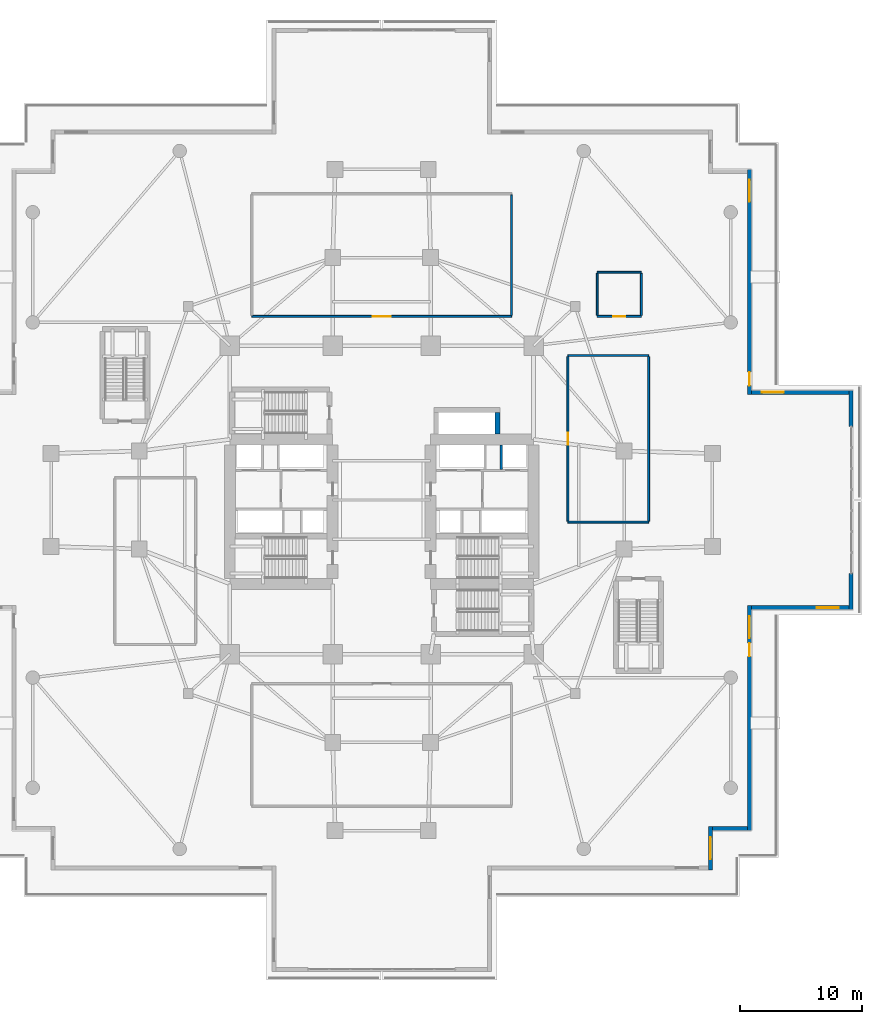
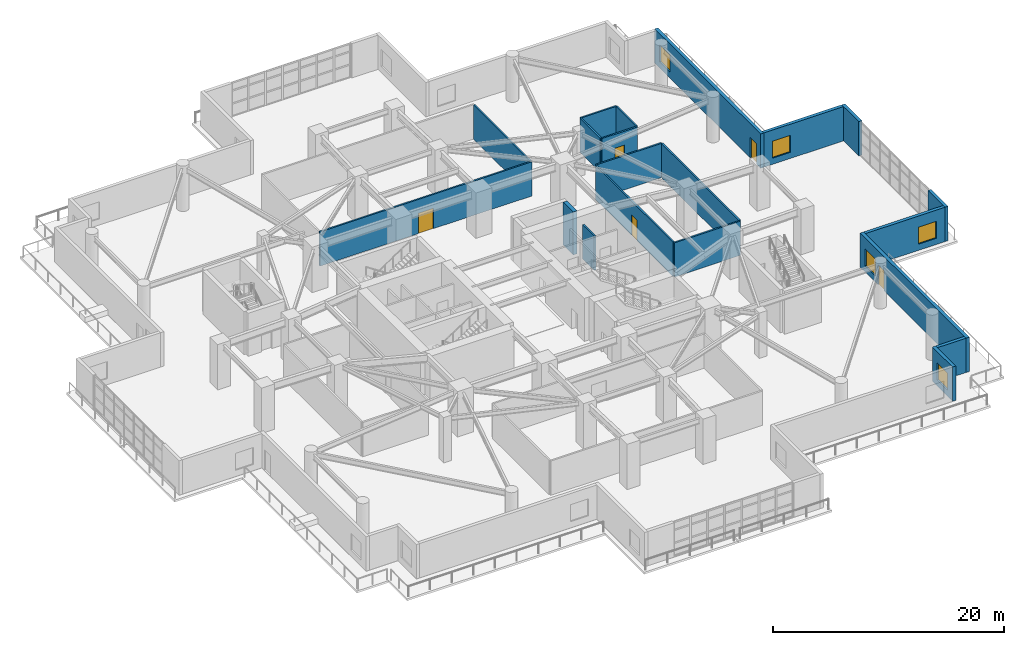
# One storey, part 15 of 23: 20 walls, 5 doors, 5 windows, 10 openings.
"""IFC4 building model written with IfcOpenShell, lengths in metres."""

from ifc_helpers import new_model, si_unit, direction, frame, frame_2d, origin, place, context, subcontext, project, spatial, rectangle, extrude, material, layer, layer_set, type_object, element, fill, save


model = new_model("IFC4")

# Units and contexts
model_context = context("Model", 3, precision=1e-05, world=origin(), true_north=direction((0.0, 1.0)))
body_context = subcontext(model_context, "Body", "Model", "MODEL_VIEW")
ifc_project = project(units=[si_unit("LENGTHUNIT", "METRE"), si_unit("AREAUNIT", "SQUARE_METRE"), si_unit("VOLUMEUNIT", "CUBIC_METRE"), si_unit("PLANEANGLEUNIT", "RADIAN"), si_unit("MASSUNIT", "GRAM", prefix="KILO")], contexts=[model_context])

# Site, building, storey
site_placement = place(None, origin())
site = spatial("IfcSite", under=ifc_project, at=site_placement, CompositionType="ELEMENT")
building_placement = place(site_placement, origin())
building = spatial("IfcBuilding", under=site, at=building_placement, Name="Qingluan Cross Belvedere", CompositionType="ELEMENT")
storey_placement = place(building_placement, frame((0.0, 0.0, 5.39990234375)))
storey = spatial("IfcBuildingStorey", under=building, at=storey_placement, Name="L02", CompositionType="ELEMENT", Elevation=5.39990234375)

# Wall
ifc_material_1 = material(Name="Concrete C50", Category="concrete")
ifc_layer_1 = layer(ifc_material_1, 0.449951171875, Name="CoreShearWall_450")
ifc_layer_set_1 = layer_set([ifc_layer_1], Name="Concrete C50")
wall_type_1 = type_object("IfcWallType", Name="CoreShearWall_450", PredefinedType="SHEAR", material=ifc_layer_set_1)
wall_1_placement = place(storey_placement, frame((9.449951171875, 5.405029296875, 0.0), z_axis=(0.0, 0.0, 1.0), x_axis=(0.0, 1.0, 0.0)))
element("IfcWall", 1, at=wall_1_placement, inside=storey, type_object=wall_type_1, Name="Express shuttle core wall L02-E", PredefinedType="SHEAR", context=body_context, shape_type="SweptSolid", body=[
    extrude(rectangle(XDim=1.73486328125, YDim=0.39990234375, at=frame_2d((0.867431640625, 0.0))), origin(), (0.0, 0.0, 1.0), 4.550048828125),
])

# Wall, opening, door
ifc_material_2 = material(Name="Gypsum plasterboard on steel stud acoustic partition", Category="steel")
ifc_layer_2 = layer(ifc_material_2, 0.159912109375, Name="CorridorPartition_160")
ifc_layer_set_2 = layer_set([ifc_layer_2], Name="Gypsum plasterboard on steel stud acoustic partition")
wall_type_2 = type_object("IfcWallType", Name="CorridorPartition_160", PredefinedType="PARTITIONING", material=ifc_layer_set_2)
wall_2_placement = place(storey_placement, frame((-10.60009765625, 15.0, 0.0), z_axis=(0.0, 0.0, 1.0), x_axis=(1.0, 0.0, 0.0)))
wall_2 = element("IfcWall", 2, at=wall_2_placement, inside=storey, type_object=wall_type_2, Name="Partition L02:pod_n:S", PredefinedType="PARTITIONING", context=body_context, shape_type="SweptSolid", body=[
    extrude(rectangle(XDim=21.2001953125, YDim=0.159912109375, at=frame_2d((10.60009765625, 0.0))), origin(), (0.0, 0.0, 1.0), 3.6201171875),
])
opening_1_placement = place(wall_2_placement, frame((9.85009765625, 0.0, 0.0)))
opening_1 = element("IfcOpeningElement", 3, at=opening_1_placement, cuts=wall_2, Name="Opening FD-A15", PredefinedType="OPENING", context=body_context, shape_type="SweptSolid", body=[
    extrude(rectangle(XDim=1.5, YDim=2.14990234375, at=frame_2d((0.75, 1.074951171875))), frame((0.0, 0.08984375, 0.0), z_axis=(0.0, -1.0, 0.0), x_axis=(1.0, 0.0, 0.0)), (0.0, 0.0, 1.0), 0.179931640625),
])
ifc_material_3 = material(Name="Insulated steel Class A double fire door", Category="steel")
door_type_1 = type_object("IfcDoorType", Name="PlantDoubleFireDoor_FDA", OperationType="DOUBLE_DOOR_SINGLE_SWING", PredefinedType="DOOR", material=ifc_material_3)
door_1_placement = place(opening_1_placement, origin())
door_1 = element("IfcDoor", 4, at=door_1_placement, inside=storey, type_object=door_type_1, Name="Banquet conference hall North L02 door", OperationType="DOUBLE_DOOR_SINGLE_SWING", OverallHeight=2.14990234375, OverallWidth=1.5, PredefinedType="DOOR", context=body_context, shape_type="SweptSolid", body=[
    extrude(rectangle(XDim=1.5, YDim=2.14990234375, at=frame_2d((0.75, 1.074951171875))), frame((0.0, 0.02490234375, 0.0), z_axis=(0.0, -1.0, 0.0), x_axis=(1.0, 0.0, 0.0)), (0.0, 0.0, 1.0), 0.050048828125),
])
fill(opening_1, door_1)

# Walls
wall_3_placement = place(storey_placement, frame((10.60009765625, 15.0849609375, 0.0), z_axis=(0.0, 0.0, 1.0), x_axis=(0.0, 1.0, 0.0)))
element("IfcWall", 5, at=wall_3_placement, inside=storey, type_object=wall_type_2, Name="Partition L02:pod_n:E", PredefinedType="PARTITIONING", context=body_context, shape_type="SweptSolid", body=[
    extrude(rectangle(XDim=9.830078125, YDim=0.159912109375, at=frame_2d((4.9150390625, 0.0))), origin(), (0.0, 0.0, 1.0), 3.6201171875),
])
for number, where, z_axis, x_axis, name in (
    (6, (15.199951171875, -1.800048828125, 0.0), (0.0, 0.0, 1.0), (1.0, 0.0, 0.0), "Partition L02:pod_e:S"),
    (7, (15.199951171875, 11.800048828125, 0.0), (0.0, 0.0, 1.0), (1.0, 0.0, 0.0), "Partition L02:pod_e:N"),
):
    element("IfcWall", number, at=place(storey_placement, frame(where, z_axis=z_axis, x_axis=x_axis)), inside=storey, type_object=wall_type_2, Name=name, PredefinedType="PARTITIONING", context=body_context, shape_type="SweptSolid", body=[
        extrude(rectangle(XDim=6.60009765625, YDim=0.159912109375, at=frame_2d((3.300048828125, 0.0))), origin(), (0.0, 0.0, 1.0), 3.6201171875),
    ])

# Wall, opening, door
wall_4_placement = place(storey_placement, frame((15.199951171875, -1.715087890625, 0.0), z_axis=(0.0, 0.0, 1.0), x_axis=(0.0, 1.0, 0.0)))
wall_4 = element("IfcWall", 8, at=wall_4_placement, inside=storey, type_object=wall_type_2, Name="Partition L02:pod_e:W", PredefinedType="PARTITIONING", context=body_context, shape_type="SweptSolid", body=[
    extrude(rectangle(XDim=13.43017578125, YDim=0.159912109375, at=frame_2d((6.715087890625, 0.0))), origin(), (0.0, 0.0, 1.0), 3.6201171875),
])
opening_2_placement = place(wall_4_placement, frame((6.235107421875, 0.0, 0.0)))
opening_2 = element("IfcOpeningElement", 9, at=opening_2_placement, cuts=wall_4, Name="Opening GD-10", PredefinedType="OPENING", context=body_context, shape_type="SweptSolid", body=[
    extrude(rectangle(XDim=0.9599609375, YDim=2.14990234375, at=frame_2d((0.47998046875, 1.074951171875))), frame((0.0, 0.08984375, 0.0), z_axis=(0.0, -1.0, 0.0), x_axis=(1.0, 0.0, 0.0)), (0.0, 0.0, 1.0), 0.179931640625),
])
ifc_material_4 = material(Name="Timber oak fire-rated acoustic guestroom door", Category="wood")
door_type_2 = type_object("IfcDoorType", Name="GuestEntryDoor_FD60", OperationType="NOTDEFINED", PredefinedType="DOOR", material=ifc_material_4)
door_2_placement = place(opening_2_placement, origin())
door_2 = element("IfcDoor", 10, at=door_2_placement, inside=storey, type_object=door_type_2, Name="Specialty bistro East L02 door", OperationType="SINGLE_SWING_RIGHT", OverallHeight=2.14990234375, OverallWidth=0.9599609375, PredefinedType="DOOR", context=body_context, shape_type="SweptSolid", body=[
    extrude(rectangle(XDim=0.9599609375, YDim=2.14990234375, at=frame_2d((0.47998046875, 1.074951171875))), frame((0.0, 0.02490234375, 0.0), z_axis=(0.0, -1.0, 0.0), x_axis=(1.0, 0.0, 0.0)), (0.0, 0.0, 1.0), 0.050048828125),
])
fill(opening_2, door_2)

# Wall
wall_5_placement = place(storey_placement, frame((21.800048828125, -1.715087890625, 0.0), z_axis=(0.0, 0.0, 1.0), x_axis=(0.0, 1.0, 0.0)))
element("IfcWall", 11, at=wall_5_placement, inside=storey, type_object=wall_type_2, Name="Partition L02:pod_e:E", PredefinedType="PARTITIONING", context=body_context, shape_type="SweptSolid", body=[
    extrude(rectangle(XDim=13.43017578125, YDim=0.159912109375, at=frame_2d((6.715087890625, 0.0))), origin(), (0.0, 0.0, 1.0), 3.6201171875),
])

# Wall, opening, door
wall_6_placement = place(storey_placement, frame((17.60009765625, 15.0, 0.0), z_axis=(0.0, 0.0, 1.0), x_axis=(1.0, 0.0, 0.0)))
wall_6 = element("IfcWall", 12, at=wall_6_placement, inside=storey, type_object=wall_type_2, Name="Partition L02:pod_wc:S", PredefinedType="PARTITIONING", context=body_context, shape_type="SweptSolid", body=[
    extrude(rectangle(XDim=3.599853515625, YDim=0.159912109375, at=frame_2d((1.7998046875, 0.0))), origin(), (0.0, 0.0, 1.0), 3.6201171875),
])
opening_3_placement = place(wall_6_placement, frame((1.320068359375, 0.0, 0.0)))
opening_3 = element("IfcOpeningElement", 13, at=opening_3_placement, cuts=wall_6, Name="Opening GD-10", PredefinedType="OPENING", context=body_context, shape_type="SweptSolid", body=[
    extrude(rectangle(XDim=0.9599609375, YDim=2.14990234375, at=frame_2d((0.47998046875, 1.074951171875))), frame((0.0, 0.08984375, 0.0), z_axis=(0.0, -1.0, 0.0), x_axis=(1.0, 0.0, 0.0)), (0.0, 0.0, 1.0), 0.179931640625),
])
door_3_placement = place(opening_3_placement, origin())
door_3 = element("IfcDoor", 14, at=door_3_placement, inside=storey, type_object=door_type_2, Name="Public washrooms L02 door", OperationType="SINGLE_SWING_RIGHT", OverallHeight=2.14990234375, OverallWidth=0.9599609375, PredefinedType="DOOR", context=body_context, shape_type="SweptSolid", body=[
    extrude(rectangle(XDim=0.9599609375, YDim=2.14990234375, at=frame_2d((0.47998046875, 1.074951171875))), frame((0.0, 0.02490234375, 0.0), z_axis=(0.0, -1.0, 0.0), x_axis=(1.0, 0.0, 0.0)), (0.0, 0.0, 1.0), 0.050048828125),
])
fill(opening_3, door_3)

# Walls
wall_7_placement = place(storey_placement, frame((17.60009765625, 18.60009765625, 0.0), z_axis=(0.0, 0.0, 1.0), x_axis=(1.0, 0.0, 0.0)))
element("IfcWall", 15, at=wall_7_placement, inside=storey, type_object=wall_type_2, Name="Partition L02:pod_wc:N", PredefinedType="PARTITIONING", context=body_context, shape_type="SweptSolid", body=[
    extrude(rectangle(XDim=3.599853515625, YDim=0.159912109375, at=frame_2d((1.7998046875, 0.0))), origin(), (0.0, 0.0, 1.0), 3.6201171875),
])
for number, where, z_axis, x_axis, name in (
    (16, (17.60009765625, 15.0849609375, 0.0), (0.0, 0.0, 1.0), (0.0, 1.0, 0.0), "Partition L02:pod_wc:W"),
    (17, (21.199951171875, 15.0849609375, 0.0), (0.0, 0.0, 1.0), (0.0, 1.0, 0.0), "Partition L02:pod_wc:E"),
):
    element("IfcWall", number, at=place(storey_placement, frame(where, z_axis=z_axis, x_axis=x_axis)), inside=storey, type_object=wall_type_2, Name=name, PredefinedType="PARTITIONING", context=body_context, shape_type="SweptSolid", body=[
        extrude(rectangle(XDim=3.429931640625, YDim=0.159912109375, at=frame_2d((1.71484375, 0.0))), origin(), (0.0, 0.0, 1.0), 3.6201171875),
    ])

# Wall, openings, window, door
ifc_material_5 = material(Name="Precast concrete C45", Category="concrete")
ifc_layer_3 = layer(ifc_material_5, 0.320068359375, Name="PrecastPodiumWall_320")
ifc_layer_set_3 = layer_set([ifc_layer_3], Name="Precast concrete C45")
wall_type_3 = type_object("IfcWallType", Name="PrecastPodiumWall_320", PredefinedType="STANDARD", material=ifc_layer_set_3)
wall_8_placement = place(storey_placement, frame((30.0400390625, 27.0, 0.0), z_axis=(0.0, 0.0, 1.0), x_axis=(0.0, -1.0, 0.0)))
wall_8 = element("IfcWall", 18, at=wall_8_placement, inside=storey, type_object=wall_type_3, Name="Podium precast facade wall L02-S25", PredefinedType="STANDARD", context=body_context, shape_type="SweptSolid", body=[
    extrude(rectangle(XDim=18.3701171875, YDim=0.320068359375, at=frame_2d((9.18505859375, 0.0))), origin(), (0.0, 0.0, 1.0), 3.630126953125),
])
opening_4_placement = place(wall_8_placement, frame((0.85009765625, 0.0, 0.64990234375)))
opening_4 = element("IfcOpeningElement", 19, at=opening_4_placement, cuts=wall_8, Name="Opening W-06", PredefinedType="OPENING", context=body_context, shape_type="SweptSolid", body=[
    extrude(rectangle(XDim=1.800048828125, YDim=1.800048828125, at=frame_2d((0.89990234375, 0.89990234375))), frame((0.0, 0.169921875, 0.0), z_axis=(0.0, -1.0, 0.0), x_axis=(1.0, 0.0, 0.0)), (0.0, 0.0, 1.0), 0.340087890625),
])
opening_5_placement = place(wall_8_placement, frame((16.550048828125, 0.0, 0.0)))
opening_5 = element("IfcOpeningElement", 20, at=opening_5_placement, cuts=wall_8, Name="Opening TD-11", PredefinedType="OPENING", context=body_context, shape_type="SweptSolid", body=[
    extrude(rectangle(XDim=1.10009765625, YDim=2.14990234375, at=frame_2d((0.550048828125, 1.074951171875))), frame((0.0, 0.169921875, 0.0), z_axis=(0.0, -1.0, 0.0), x_axis=(1.0, 0.0, 0.0)), (0.0, 0.0, 1.0), 0.340087890625),
])
ifc_material_6 = material(Name="Thermally broken triple Low-E glass in aluminium frame", Category="aluminium")
window_type = type_object("IfcWindowType", Name="PodiumGalleryWin_1800x1800", PartitioningType="SINGLE_PANEL", PredefinedType="WINDOW", material=ifc_material_6)
window_1_placement = place(opening_4_placement, origin())
window_1 = element("IfcWindow", 21, at=window_1_placement, inside=storey, type_object=window_type, Name="Podium gallery window L02-S25", OverallHeight=1.800048828125, OverallWidth=1.800048828125, PartitioningType="SINGLE_PANEL", PredefinedType="WINDOW", context=body_context, shape_type="SweptSolid", body=[
    extrude(rectangle(XDim=1.800048828125, YDim=1.800048828125, at=frame_2d((0.89990234375, 0.89990234375))), frame((0.0, 0.030029296875, 0.0), z_axis=(0.0, -1.0, 0.0), x_axis=(1.0, 0.0, 0.0)), (0.0, 0.0, 1.0), 0.06005859375),
])
fill(opening_4, window_1)
ifc_material_7 = material(Name="Thermally broken aluminium and Low-E glass", Category="aluminium")
door_type_3 = type_object("IfcDoorType", Name="TerraceGlazedDoor_1100", OperationType="NOTDEFINED", PredefinedType="DOOR", material=ifc_material_7)
door_4_placement = place(opening_5_placement, origin())
door_4 = element("IfcDoor", 22, at=door_4_placement, inside=storey, type_object=door_type_3, Name="Cascade terrace door L02-1", OperationType="SINGLE_SWING_RIGHT", OverallHeight=2.14990234375, OverallWidth=1.10009765625, PredefinedType="DOOR", context=body_context, shape_type="SweptSolid", body=[
    extrude(rectangle(XDim=1.10009765625, YDim=2.14990234375, at=frame_2d((0.550048828125, 1.074951171875))), frame((0.0, 0.02490234375, 0.0), z_axis=(0.0, -1.0, 0.0), x_axis=(1.0, 0.0, 0.0)), (0.0, 0.0, 1.0), 0.050048828125),
])
fill(opening_5, door_4)

# Wall, opening, window
wall_9_placement = place(storey_placement, frame((30.199951171875, 8.7900390625, 0.0), z_axis=(0.0, 0.0, 1.0), x_axis=(1.0, 0.0, 0.0)))
wall_9 = element("IfcWall", 23, at=wall_9_placement, inside=storey, type_object=wall_type_3, Name="Podium precast facade wall L02-S26", PredefinedType="STANDARD", context=body_context, shape_type="SweptSolid", body=[
    extrude(rectangle(XDim=7.97998046875, YDim=0.320068359375, at=frame_2d((3.989990234375, 0.0))), origin(), (0.0, 0.0, 1.0), 3.630126953125),
])
opening_6_placement = place(wall_9_placement, frame((0.85009765625, 0.0, 0.64990234375)))
opening_6 = element("IfcOpeningElement", 24, at=opening_6_placement, cuts=wall_9, Name="Opening W-06", PredefinedType="OPENING", context=body_context, shape_type="SweptSolid", body=[
    extrude(rectangle(XDim=1.800048828125, YDim=1.800048828125, at=frame_2d((0.89990234375, 0.89990234375))), frame((0.0, 0.169921875, 0.0), z_axis=(0.0, -1.0, 0.0), x_axis=(1.0, 0.0, 0.0)), (0.0, 0.0, 1.0), 0.340087890625),
])
window_2_placement = place(opening_6_placement, origin())
window_2 = element("IfcWindow", 25, at=window_2_placement, inside=storey, type_object=window_type, Name="Podium gallery window L02-S26", OverallHeight=1.800048828125, OverallWidth=1.800048828125, PartitioningType="SINGLE_PANEL", PredefinedType="WINDOW", context=body_context, shape_type="SweptSolid", body=[
    extrude(rectangle(XDim=1.800048828125, YDim=1.800048828125, at=frame_2d((0.89990234375, 0.89990234375))), frame((0.0, 0.030029296875, 0.0), z_axis=(0.0, -1.0, 0.0), x_axis=(1.0, 0.0, 0.0)), (0.0, 0.0, 1.0), 0.06005859375),
])
fill(opening_6, window_2)

# Walls
for number, where, z_axis, x_axis, name in (
    (26, (38.340087890625, 8.949951171875, 0.0), (0.0, 0.0, 1.0), (0.0, -1.0, 0.0), "Podium portal pier L02-P4JA"),
    (27, (38.340087890625, -6.0, 0.0), (0.0, 0.0, 1.0), (0.0, -1.0, 0.0), "Podium portal pier L02-P4JB"),
):
    element("IfcWall", number, at=place(storey_placement, frame(where, z_axis=z_axis, x_axis=x_axis)), inside=storey, type_object=wall_type_3, Name=name, PredefinedType="STANDARD", context=body_context, shape_type="SweptSolid", body=[
        extrude(rectangle(XDim=2.949951171875, YDim=0.320068359375, at=frame_2d((1.47509765625, 0.0))), origin(), (0.0, 0.0, 1.0), 3.630126953125),
    ])

# Wall, opening, window
wall_10_placement = place(storey_placement, frame((38.179931640625, -8.7900390625, 0.0), z_axis=(0.0, 0.0, 1.0), x_axis=(-1.0, 0.0, 0.0)))
wall_10 = element("IfcWall", 28, at=wall_10_placement, inside=storey, type_object=wall_type_3, Name="Podium precast facade wall L02-S29", PredefinedType="STANDARD", context=body_context, shape_type="SweptSolid", body=[
    extrude(rectangle(XDim=7.97998046875, YDim=0.320068359375, at=frame_2d((3.989990234375, 0.0))), origin(), (0.0, 0.0, 1.0), 3.630126953125),
])
opening_7_placement = place(wall_10_placement, frame((0.85009765625, 0.0, 0.64990234375)))
opening_7 = element("IfcOpeningElement", 29, at=opening_7_placement, cuts=wall_10, Name="Opening W-06", PredefinedType="OPENING", context=body_context, shape_type="SweptSolid", body=[
    extrude(rectangle(XDim=1.800048828125, YDim=1.800048828125, at=frame_2d((0.89990234375, 0.89990234375))), frame((0.0, 0.169921875, 0.0), z_axis=(0.0, -1.0, 0.0), x_axis=(1.0, 0.0, 0.0)), (0.0, 0.0, 1.0), 0.340087890625),
])
window_3_placement = place(opening_7_placement, origin())
window_3 = element("IfcWindow", 30, at=window_3_placement, inside=storey, type_object=window_type, Name="Podium gallery window L02-S29", OverallHeight=1.800048828125, OverallWidth=1.800048828125, PartitioningType="SINGLE_PANEL", PredefinedType="WINDOW", context=body_context, shape_type="SweptSolid", body=[
    extrude(rectangle(XDim=1.800048828125, YDim=1.800048828125, at=frame_2d((0.89990234375, 0.89990234375))), frame((0.0, 0.030029296875, 0.0), z_axis=(0.0, -1.0, 0.0), x_axis=(1.0, 0.0, 0.0)), (0.0, 0.0, 1.0), 0.06005859375),
])
fill(opening_7, window_3)

# Wall, openings, window, door
wall_11_placement = place(storey_placement, frame((30.0400390625, -8.6298828125, 0.0), z_axis=(0.0, 0.0, 1.0), x_axis=(0.0, -1.0, 0.0)))
wall_11 = element("IfcWall", 31, at=wall_11_placement, inside=storey, type_object=wall_type_3, Name="Podium precast facade wall L02-S30", PredefinedType="STANDARD", context=body_context, shape_type="SweptSolid", body=[
    extrude(rectangle(XDim=18.3701171875, YDim=0.320068359375, at=frame_2d((9.18505859375, 0.0))), origin(), (0.0, 0.0, 1.0), 3.630126953125),
])
opening_8_placement = place(wall_11_placement, frame((0.85009765625, 0.0, 0.64990234375)))
opening_8 = element("IfcOpeningElement", 32, at=opening_8_placement, cuts=wall_11, Name="Opening W-06", PredefinedType="OPENING", context=body_context, shape_type="SweptSolid", body=[
    extrude(rectangle(XDim=1.800048828125, YDim=1.800048828125, at=frame_2d((0.89990234375, 0.89990234375))), frame((0.0, 0.169921875, 0.0), z_axis=(0.0, -1.0, 0.0), x_axis=(1.0, 0.0, 0.0)), (0.0, 0.0, 1.0), 0.340087890625),
])
opening_9_placement = place(wall_11_placement, frame((3.050048828125, 0.0, 0.0)))
opening_9 = element("IfcOpeningElement", 33, at=opening_9_placement, cuts=wall_11, Name="Opening TD-11", PredefinedType="OPENING", context=body_context, shape_type="SweptSolid", body=[
    extrude(rectangle(XDim=1.10009765625, YDim=2.14990234375, at=frame_2d((0.550048828125, 1.074951171875))), frame((0.0, 0.169921875, 0.0), z_axis=(0.0, -1.0, 0.0), x_axis=(1.0, 0.0, 0.0)), (0.0, 0.0, 1.0), 0.340087890625),
])
window_4_placement = place(opening_8_placement, origin())
window_4 = element("IfcWindow", 34, at=window_4_placement, inside=storey, type_object=window_type, Name="Podium gallery window L02-S30", OverallHeight=1.800048828125, OverallWidth=1.800048828125, PartitioningType="SINGLE_PANEL", PredefinedType="WINDOW", context=body_context, shape_type="SweptSolid", body=[
    extrude(rectangle(XDim=1.800048828125, YDim=1.800048828125, at=frame_2d((0.89990234375, 0.89990234375))), frame((0.0, 0.030029296875, 0.0), z_axis=(0.0, -1.0, 0.0), x_axis=(1.0, 0.0, 0.0)), (0.0, 0.0, 1.0), 0.06005859375),
])
fill(opening_8, window_4)
door_5_placement = place(opening_9_placement, origin())
door_5 = element("IfcDoor", 35, at=door_5_placement, inside=storey, type_object=door_type_3, Name="Cascade terrace door L02-4", OperationType="SINGLE_SWING_LEFT", OverallHeight=2.14990234375, OverallWidth=1.10009765625, PredefinedType="DOOR", context=body_context, shape_type="SweptSolid", body=[
    extrude(rectangle(XDim=1.10009765625, YDim=2.14990234375, at=frame_2d((0.550048828125, 1.074951171875))), frame((0.0, 0.02490234375, 0.0), z_axis=(0.0, -1.0, 0.0), x_axis=(1.0, 0.0, 0.0)), (0.0, 0.0, 1.0), 0.050048828125),
])
fill(opening_9, door_5)

# Wall
wall_12_placement = place(storey_placement, frame((29.8798828125, -26.840087890625, 0.0), z_axis=(0.0, 0.0, 1.0), x_axis=(-1.0, 0.0, 0.0)))
element("IfcWall", 36, at=wall_12_placement, inside=storey, type_object=wall_type_3, Name="Podium precast facade wall L02-S31", PredefinedType="STANDARD", context=body_context, shape_type="SweptSolid", body=[
    extrude(rectangle(XDim=2.8798828125, YDim=0.320068359375, at=frame_2d((1.43994140625, 0.0))), origin(), (0.0, 0.0, 1.0), 3.630126953125),
])

# Wall, opening, window
wall_13_placement = place(storey_placement, frame((26.840087890625, -26.679931640625, 0.0), z_axis=(0.0, 0.0, 1.0), x_axis=(0.0, -1.0, 0.0)))
wall_13 = element("IfcWall", 37, at=wall_13_placement, inside=storey, type_object=wall_type_3, Name="Podium precast facade wall L02-S32", PredefinedType="STANDARD", context=body_context, shape_type="SweptSolid", body=[
    extrude(rectangle(XDim=3.52001953125, YDim=0.320068359375, at=frame_2d((1.760009765625, 0.0))), origin(), (0.0, 0.0, 1.0), 3.630126953125),
])
opening_10_placement = place(wall_13_placement, frame((0.85009765625, 0.0, 0.64990234375)))
opening_10 = element("IfcOpeningElement", 38, at=opening_10_placement, cuts=wall_13, Name="Opening W-06", PredefinedType="OPENING", context=body_context, shape_type="SweptSolid", body=[
    extrude(rectangle(XDim=1.800048828125, YDim=1.800048828125, at=frame_2d((0.89990234375, 0.89990234375))), frame((0.0, 0.169921875, 0.0), z_axis=(0.0, -1.0, 0.0), x_axis=(1.0, 0.0, 0.0)), (0.0, 0.0, 1.0), 0.340087890625),
])
window_5_placement = place(opening_10_placement, origin())
window_5 = element("IfcWindow", 39, at=window_5_placement, inside=storey, type_object=window_type, Name="Podium gallery window L02-S32", OverallHeight=1.800048828125, OverallWidth=1.800048828125, PartitioningType="SINGLE_PANEL", PredefinedType="WINDOW", context=body_context, shape_type="SweptSolid", body=[
    extrude(rectangle(XDim=1.800048828125, YDim=1.800048828125, at=frame_2d((0.89990234375, 0.89990234375))), frame((0.0, 0.030029296875, 0.0), z_axis=(0.0, -1.0, 0.0), x_axis=(1.0, 0.0, 0.0)), (0.0, 0.0, 1.0), 0.06005859375),
])
fill(opening_10, window_5)

# Wall
ifc_material_8 = material(Name="Concrete C40", Category="concrete")
ifc_layer_4 = layer(ifc_material_8, 0.219970703125, Name="ShaftEnclosureWall_250")
ifc_layer_set_4 = layer_set([ifc_layer_4], Name="Concrete C40")
wall_type_4 = type_object("IfcWallType", Name="ShaftEnclosureWall_250", PredefinedType="SOLIDWALL", material=ifc_layer_set_4)
wall_14_placement = place(storey_placement, frame((9.760009765625, 2.5, 0.0), z_axis=(0.0, 0.0, 1.0), x_axis=(0.0, 1.0, 0.0)))
element("IfcWall", 40, at=wall_14_placement, inside=storey, type_object=wall_type_4, Name="Hoistway enclosure divider FL2W L02", PredefinedType="SOLIDWALL", context=body_context, shape_type="SweptSolid", body=[
    extrude(rectangle(XDim=1.989990234375, YDim=0.179931640625, at=frame_2d((0.9951171875, 0.0))), origin(), (0.0, 0.0, 1.0), 3.6201171875),
])

save(model, "model.ifc")
